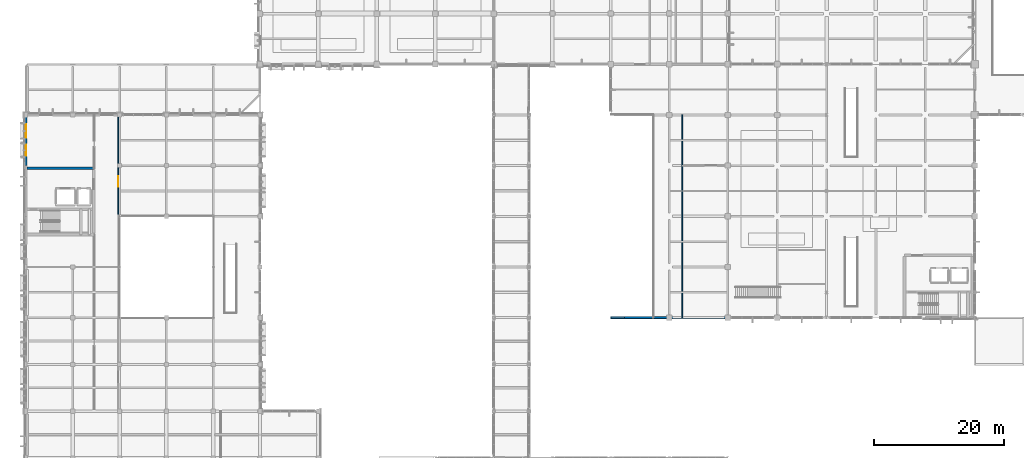
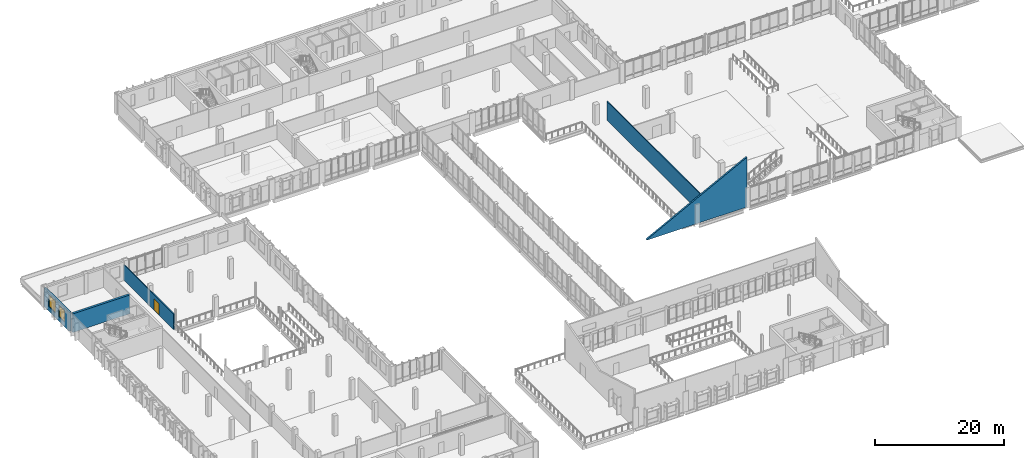
# One storey, part 58 of 85: 5 walls, 2 windows, 1 door, 3 openings.
"""IFC4 building model written with IfcOpenShell, lengths in metres."""

import ifcopenshell
import ifcopenshell.guid

model = None  # the IFC model being written
_history = None  # IfcOwnerHistory: only IFC2X3 demands one
_inside = {}  # id of a spatial element -> (the spatial element, [elements in it])
_under = {}  # id of a project, library or spatial element -> (it, [spatial elements below it])
_declared = {}  # id of a project -> (the project, [libraries it declares])
_typed = {}  # id of a type object -> (the type object, [elements of that type])
_made_of = {}  # id of a material, layer set ... -> (it, [elements and type objects made of it])


def new_model(schema):
    """Start an empty IFC model of exactly this schema.

    Asked for "IFC4X3", IfcOpenShell would pick the latest addendum, in which some entities
    have other attributes; the version numbers below select the first issue.
    IFC2X3 requires an IfcOwnerHistory on every rooted entity: one is made here for all.
    """
    global model, _history
    if schema == "IFC4X3":
        model = ifcopenshell.file(schema_version=(4, 3, 0, 0))
    else:
        model = ifcopenshell.file(schema=schema)
    _inside.clear()
    _under.clear()
    _declared.clear()
    _typed.clear()
    _made_of.clear()
    _history = None
    if model.schema == "IFC2X3":
        org = make("IfcOrganization", Name="unknown")
        user = make(
            "IfcPersonAndOrganization",
            ThePerson=make("IfcPerson", FamilyName="unknown"),
            TheOrganization=org,
        )
        app = make(
            "IfcApplication",
            ApplicationDeveloper=org,
            Version="unknown",
            ApplicationFullName="unknown",
            ApplicationIdentifier="unknown",
        )
        _history = make(
            "IfcOwnerHistory",
            OwningUser=user,
            OwningApplication=app,
            ChangeAction="ADDED",
            CreationDate=0,
        )
    return model


def make(cls, **values):
    """One entity of the class cls with the attributes given. An attribute that is None is left unset."""
    return model.create_entity(
        cls, **{name: value for name, value in values.items() if value is not None}
    )


def rooted(cls, **values):
    """An entity with a GlobalId (a new one), such as an element, a storey or a relation."""
    return make(cls, GlobalId=ifcopenshell.guid.new(), OwnerHistory=_history, **values)


def si_unit(unit_type, name, prefix=None):
    """IfcSIUnit, for example si_unit("LENGTHUNIT", "METRE", prefix="MILLI")."""
    return make("IfcSIUnit", UnitType=unit_type, Prefix=prefix, Name=name)


def assignment(units):
    """IfcUnitAssignment: the units of a project."""
    return None if units is None else make("IfcUnitAssignment", Units=units)


def point(xyz):
    """IfcCartesianPoint."""
    return None if xyz is None else make("IfcCartesianPoint", Coordinates=xyz)


def direction(xyz):
    """IfcDirection."""
    return None if xyz is None else make("IfcDirection", DirectionRatios=xyz)


def frame(location, z_axis=None, x_axis=None):
    """IfcAxis2Placement3D, a coordinate frame: its origin and axes. An axis left out is left unset."""
    return make(
        "IfcAxis2Placement3D",
        Location=point(location),
        Axis=direction(z_axis),
        RefDirection=direction(x_axis),
    )


def frame_2d(location, x_axis=None):
    """IfcAxis2Placement2D, a coordinate frame in the plane: its origin and x axis."""
    return make(
        "IfcAxis2Placement2D", Location=point(location), RefDirection=direction(x_axis)
    )


def origin():
    """The frame at (0, 0, 0) with its axes left unset."""
    return frame((0.0, 0.0, 0.0))


def place(relative_to, where):
    """IfcLocalPlacement: puts the frame where relative to a parent placement (None: the world)."""
    return make(
        "IfcLocalPlacement", PlacementRelTo=relative_to, RelativePlacement=where
    )


def context(
    kind, dimensions, precision=None, world=None, true_north=None, identifier=None
):
    """IfcGeometricRepresentationContext, for example the 3D "Model" context."""
    return make(
        "IfcGeometricRepresentationContext",
        ContextIdentifier=identifier,
        ContextType=kind,
        CoordinateSpaceDimension=dimensions,
        Precision=precision,
        WorldCoordinateSystem=world,
        TrueNorth=true_north,
    )


def subcontext(parent, identifier, kind, view, scale=None):
    """IfcGeometricRepresentationSubContext, for example "Body" below "Model"."""
    return make(
        "IfcGeometricRepresentationSubContext",
        ContextIdentifier=identifier,
        ContextType=kind,
        ParentContext=parent,
        TargetScale=scale,
        TargetView=view,
    )


def project(units=None, contexts=None):
    """IfcProject with its units and contexts."""
    return rooted(
        "IfcProject",
        Name="project",
        RepresentationContexts=contexts,
        UnitsInContext=assignment(units),
    )


def spatial(cls, under=None, at=None, **own):
    """A site, building, storey or space (cls), placed at a placement, below another one or the project."""
    s = rooted(cls, ObjectPlacement=at, **own)
    if under is not None:
        _under.setdefault(under.id(), (under, []))[1].append(s)
    return s


def polyline(points):
    """IfcPolyline through the points."""
    return make("IfcPolyline", Points=[point(p) for p in points])


def profile(cls, at=None, kind="AREA", **sizes):
    """A parametric profile (cls). Its sizes go by their IFC names, for example OverallWidth=200.0."""
    return make(cls, ProfileType=kind, Position=at, **sizes)


def rectangle(**sizes):
    """IfcRectangleProfileDef."""
    return profile("IfcRectangleProfileDef", **sizes)


def outline(outer, holes=None, kind="AREA"):
    """IfcArbitraryClosedProfileDef: a profile drawn as a closed curve; with holes, ...WithVoids."""
    if holes is None:
        return make("IfcArbitraryClosedProfileDef", ProfileType=kind, OuterCurve=outer)
    return make(
        "IfcArbitraryProfileDefWithVoids",
        ProfileType=kind,
        OuterCurve=outer,
        InnerCurves=holes,
    )


def extrude(swept, where, along, depth):
    """IfcExtrudedAreaSolid: the profile swept, set in the frame where, extruded along a direction by depth."""
    return make(
        "IfcExtrudedAreaSolid",
        SweptArea=swept,
        Position=where,
        ExtrudedDirection=direction(along),
        Depth=depth,
    )


def shape(context_of_items, identifier, shape_type, items):
    """IfcShapeRepresentation: the items that make up one representation, for example the "Body"."""
    return make(
        "IfcShapeRepresentation",
        ContextOfItems=context_of_items,
        RepresentationIdentifier=identifier,
        RepresentationType=shape_type,
        Items=items,
    )


def material(Name=None, Category=None):
    """IfcMaterial."""
    return make("IfcMaterial", Name=Name, Category=Category)


def layer(
    of_material, thickness, ventilated=None, Name=None, Category=None, Priority=None
):
    """IfcMaterialLayer: one layer of a wall or slab, of a material (None: an air gap)."""
    return make(
        "IfcMaterialLayer",
        Material=of_material,
        LayerThickness=thickness,
        IsVentilated=ventilated,
        Name=Name,
        Category=Category,
        Priority=Priority,
    )


def layer_set(layers, Name=None):
    """IfcMaterialLayerSet."""
    return make("IfcMaterialLayerSet", MaterialLayers=layers, LayerSetName=Name)


def made_of(thing, what):
    """Note that an element or type object is made of a material, layer set ...; save() writes the relation."""
    if what is not None:
        _made_of.setdefault(what.id(), (what, []))[1].append(thing)
    return thing


def type_object(cls, material=None, **own):
    """A type object (cls), such as IfcWallType, which elements share."""
    return made_of(rooted(cls, **own), material)


def element(
    cls,
    number,
    at=None,
    inside=None,
    cuts=None,
    type_object=None,
    material=None,
    context=None,
    identifier="Body",
    shape_type=None,
    held_by="IfcProductDefinitionShape",
    body=None,
    shapes=None,
    **own,
):
    """One element of the class cls, such as IfcWall. Its Tag is "e" and its number.

    at: its placement. inside: the storey or other place that contains it. cuts: it is an
    opening in that element (IfcRelVoidsElement). A single representation is given by context,
    identifier, shape_type and body (its items); several are given by shapes. held_by: the class
    of the entity that holds the representations. save() writes the other relations.
    """
    e = rooted(cls, Tag="e%d" % number, ObjectPlacement=at, **own)
    if body is not None:
        shapes = [shape(context, identifier, shape_type, body)]
    if shapes is not None:
        e.Representation = make(held_by, Representations=shapes)
    if inside is not None:
        _inside.setdefault(inside.id(), (inside, []))[1].append(e)
    if cuts is not None:
        rooted(
            "IfcRelVoidsElement", RelatingBuildingElement=cuts, RelatedOpeningElement=e
        )
    if type_object is not None:
        _typed.setdefault(type_object.id(), (type_object, []))[1].append(e)
    return made_of(e, material)


def fill(opening, filler):
    """IfcRelFillsElement: the door or window that sits in an opening."""
    return rooted(
        "IfcRelFillsElement",
        RelatingOpeningElement=opening,
        RelatedBuildingElement=filler,
    )


def aggregate(whole, parts):
    """IfcRelAggregates: a whole, such as a stair, and the parts it consists of."""
    return rooted("IfcRelAggregates", RelatingObject=whole, RelatedObjects=parts)


def save(model, path):
    """Write the relations noted so far, then the file.

    IfcRelAggregates (storeys below a building ...), IfcRelContainedInSpatialStructure (elements
    in a storey), IfcRelDefinesByType, IfcRelAssociatesMaterial and IfcRelDeclares: one each for
    every whole, place, type object, material and project.
    """
    for whole, parts in _under.values():
        aggregate(whole, parts)
    for where, things in _inside.values():
        rooted(
            "IfcRelContainedInSpatialStructure",
            RelatedElements=things,
            RelatingStructure=where,
        )
    for kind, things in _typed.values():
        rooted("IfcRelDefinesByType", RelatedObjects=things, RelatingType=kind)
    for what, things in _made_of.values():
        rooted("IfcRelAssociatesMaterial", RelatedObjects=things, RelatingMaterial=what)
    for by, libraries in _declared.values():
        rooted("IfcRelDeclares", RelatingContext=by, RelatedDefinitions=libraries)
    model.write(path)


model = new_model("IFC4")

# Units and contexts
model_context = context("Model", 3, precision=1e-05, world=origin(), true_north=direction((0.0, 1.0)))
body_context = subcontext(model_context, "Body", "Model", "MODEL_VIEW")
ifc_project = project(units=[si_unit("LENGTHUNIT", "METRE"), si_unit("AREAUNIT", "SQUARE_METRE"), si_unit("VOLUMEUNIT", "CUBIC_METRE"), si_unit("PLANEANGLEUNIT", "RADIAN"), si_unit("MASSUNIT", "GRAM", prefix="KILO")], contexts=[model_context])

# Site, building, storey
site_placement = place(None, origin())
site = spatial("IfcSite", under=ifc_project, at=site_placement, CompositionType="ELEMENT")
building_placement = place(site_placement, origin())
building = spatial("IfcBuilding", under=site, at=building_placement, Name="Vervanel Yard Central Library", CompositionType="ELEMENT")
storey_placement = place(building_placement, frame((0.0, 0.0, 5.10009765625)))
storey = spatial("IfcBuildingStorey", under=building, at=storey_placement, Name="L01", CompositionType="ELEMENT", Elevation=5.10009765625)

# Wall, opening, door
ifc_material_1 = material(Name="Fire-rated gypsum board on steel studs", Category="steel")
ifc_layer_1 = layer(ifc_material_1, 0.159912109375, Category="steel")
ifc_layer_set_1 = layer_set([ifc_layer_1], Name="Fire-rated gypsum board on steel studs")
wall_type_1 = type_object("IfcWallType", Name="Acoustic Glazed Partition 160", PredefinedType="PARTITIONING", material=ifc_layer_set_1)
wall_1_placement = place(storey_placement, frame((14.199951171875, 58.8798828125, 0.0), z_axis=(0.0, 0.0, 1.0), x_axis=(0.0, 1.0, 0.0)))
wall_1 = element("IfcWall", 1, at=wall_1_placement, inside=storey, type_object=wall_type_1, Name="L01 Acoustic Glazed Partition 160 IPART-L01-0060", PredefinedType="PARTITIONING", context=body_context, shape_type="SweptSolid", body=[
    extrude(rectangle(XDim=15.52001953125, YDim=0.159912109375, at=frame_2d((7.760009765625, 0.0))), origin(), (0.0, 0.0, 1.0), 2.94287109375),
])
opening_1_placement = place(wall_1_placement, frame((4.5, 0.0, 0.0)))
opening_1 = element("IfcOpeningElement", 2, at=opening_1_placement, cuts=wall_1, Name="Opening DR-04", PredefinedType="OPENING", context=body_context, shape_type="SweptSolid", body=[
    extrude(rectangle(XDim=1.60009765625, YDim=2.199951171875, at=frame_2d((0.800048828125, 1.10009765625))), frame((0.0, 0.08984375, 0.0), z_axis=(0.0, -1.0, 0.0), x_axis=(1.0, 0.0, 0.0)), (0.0, 0.0, 1.0), 0.179931640625),
])
ifc_material_2 = material(Name="Solid white oak acoustic joinery", Category="wood")
door_type = type_object("IfcDoorType", Name="Interior Double Reading Door 1600x2200", OperationType="NOTDEFINED", PredefinedType="DOOR", material=ifc_material_2)
door_placement = place(opening_1_placement, origin())
door = element("IfcDoor", 3, at=door_placement, inside=storey, type_object=door_type, Name="L01 Interior Double Reading Door 1600x2200 IDOOR-L01-0046", OperationType="DOUBLE_DOOR_SINGLE_SWING", OverallHeight=2.199951171875, OverallWidth=1.60009765625, PredefinedType="DOOR", context=body_context, shape_type="SweptSolid", body=[
    extrude(rectangle(XDim=1.60009765625, YDim=2.199951171875, at=frame_2d((0.800048828125, 1.10009765625))), frame((0.0, 0.02490234375, 0.0), z_axis=(0.0, -1.0, 0.0), x_axis=(1.0, 0.0, 0.0)), (0.0, 0.0, 1.0), 0.050048828125),
])
fill(opening_1, door)

# Walls
wall_2_placement = place(storey_placement, frame((101.0, 43.199951171875, 0.0), z_axis=(0.0, 0.0, 1.0), x_axis=(0.0, 1.0, 0.0)))
element("IfcWall", 4, at=wall_2_placement, inside=storey, type_object=wall_type_1, Name="L01 Acoustic Glazed Partition 160 IPART-RC2-L01-V3W", PredefinedType="PARTITIONING", context=body_context, shape_type="SweptSolid", body=[
    extrude(rectangle(XDim=31.199951171875, YDim=0.159912109375, at=frame_2d((15.60009765625, 0.0))), origin(), (0.0, 0.0, 1.0), 3.5498046875),
])
ifc_material_3 = material(Name="Precast concrete C45/55", Category="concrete")
ifc_layer_2 = layer(ifc_material_3, 0.300048828125, Category="concrete")
ifc_layer_set_2 = layer_set([ifc_layer_2], Name="Precast concrete C45/55")
wall_type_2 = type_object("IfcWallType", Name="Bush-Hammered Precast Cladding Wall 300", PredefinedType="SOLIDWALL", material=ifc_layer_set_2)
wall_3_placement = place(storey_placement, frame((90.0, 43.199951171875, 0.0), z_axis=(0.0, 0.0, 1.0), x_axis=(1.0, 0.0, 0.0)))
element("IfcWall", 5, at=wall_3_placement, inside=storey, type_object=wall_type_2, Name="L01 Bush-Hammered Precast Cladding Wall 300 EWALL-L01-0159", PredefinedType="SOLIDWALL", context=body_context, shape_type="SweptSolid", body=[
    extrude(outline(polyline([(0.0, 0.0), (18.0, 0.0), (18.0, 9.4599609375), (0.0, 0.10986328125), (0.0, 0.0)])), frame((0.0, 0.14990234375, 0.0), z_axis=(0.0, -1.0, 0.0), x_axis=(1.0, 0.0, 0.0)), (0.0, 0.0, 1.0), 0.300048828125),
])
ifc_material_4 = material(Name="Concrete C45/55", Category="concrete")
ifc_layer_3 = layer(ifc_material_4, 0.39990234375, Category="concrete")
ifc_layer_set_3 = layer_set([ifc_layer_3], Name="Concrete C45/55")
wall_type_3 = type_object("IfcWallType", Name="Core Primary Shear Wall 400", PredefinedType="SHEAR", material=ifc_layer_set_3)
wall_4_placement = place(storey_placement, frame((0.169921875, 66.199951171875, 0.0), z_axis=(0.0, 0.0, 1.0), x_axis=(1.0, 0.0, 0.0)))
element("IfcWall", 6, at=wall_4_placement, inside=storey, type_object=wall_type_3, Name="L01 CORE-C Shear Wall N", PredefinedType="SHEAR", context=body_context, shape_type="SweptSolid", body=[
    extrude(rectangle(XDim=10.22998046875, YDim=0.39990234375, at=frame_2d((5.114990234375, 0.0))), origin(), (0.0, 0.0, 1.0), 3.5498046875),
])

# Wall, openings, windows
ifc_layer_4 = layer(ifc_material_4, 0.340087890625, Category="concrete")
ifc_layer_set_4 = layer_set([ifc_layer_4], Name="Concrete C45/55")
wall_type_4 = type_object("IfcWallType", Name="Exterior Bearing Concrete Frame Wall 340", PredefinedType="SOLIDWALL", material=ifc_layer_set_4)
wall_5_placement = place(storey_placement, frame((0.0, 66.60009765625, 0.0), z_axis=(0.0, 0.0, 1.0), x_axis=(0.0, 1.0, 0.0)))
wall_5 = element("IfcWall", 7, at=wall_5_placement, inside=storey, type_object=wall_type_4, Name="L01 Exterior Bearing Concrete Frame Wall 340 EWALL-L01-0103", PredefinedType="SOLIDWALL", context=body_context, shape_type="SweptSolid", body=[
    extrude(rectangle(XDim=7.7998046875, YDim=0.340087890625, at=frame_2d((3.89990234375, 0.0))), origin(), (0.0, 0.0, 1.0), 3.5498046875),
])
opening_2_placement = place(wall_5_placement, frame((1.5, 0.0, 0.85009765625)))
opening_2 = element("IfcOpeningElement", 8, at=opening_2_placement, cuts=wall_5, Name="Opening WN-23", PredefinedType="OPENING", context=body_context, shape_type="SweptSolid", body=[
    extrude(rectangle(XDim=1.75, YDim=2.14990234375, at=frame_2d((0.875, 1.074951171875))), frame((0.0, 0.179931640625, 0.0), z_axis=(0.0, -1.0, 0.0), x_axis=(1.0, 0.0, 0.0)), (0.0, 0.0, 1.0), 0.360107421875),
])
opening_3_placement = place(wall_5_placement, frame((4.300048828125, 0.0, 0.85009765625)))
opening_3 = element("IfcOpeningElement", 9, at=opening_3_placement, cuts=wall_5, Name="Opening WN-08", PredefinedType="OPENING", context=body_context, shape_type="SweptSolid", body=[
    extrude(rectangle(XDim=2.10009765625, YDim=2.25, at=frame_2d((1.050048828125, 1.125))), frame((0.0, 0.179931640625, 0.0), z_axis=(0.0, -1.0, 0.0), x_axis=(1.0, 0.0, 0.0)), (0.0, 0.0, 1.0), 0.360107421875),
])
ifc_material_5 = material(Name="Double low-E laminated solar-control glass", Category="glass")
window_type_1 = type_object("IfcWindowType", Name="Atrium Northlight Window 1750x2150", PartitioningType="SINGLE_PANEL", PredefinedType="WINDOW", material=ifc_material_5)
window_1_placement = place(opening_2_placement, origin())
window_1 = element("IfcWindow", 10, at=window_1_placement, inside=storey, type_object=window_type_1, Name="L01 Atrium Northlight Window 1750x2150 133", OverallHeight=2.14990234375, OverallWidth=1.75, PartitioningType="SINGLE_PANEL", PredefinedType="WINDOW", context=body_context, shape_type="SweptSolid", body=[
    extrude(rectangle(XDim=1.75, YDim=2.14990234375, at=frame_2d((0.875, 1.074951171875))), frame((0.0, 0.030029296875, 0.0), z_axis=(0.0, -1.0, 0.0), x_axis=(1.0, 0.0, 0.0)), (0.0, 0.0, 1.0), 0.06005859375),
])
fill(opening_2, window_1)
window_type_2 = type_object("IfcWindowType", Name="Atrium Seminar Window 2100x2250", PartitioningType="SINGLE_PANEL", PredefinedType="WINDOW", material=ifc_material_5)
window_2_placement = place(opening_3_placement, origin())
window_2 = element("IfcWindow", 11, at=window_2_placement, inside=storey, type_object=window_type_2, Name="L01 Atrium Seminar Window 2100x2250 134", OverallHeight=2.25, OverallWidth=2.10009765625, PartitioningType="SINGLE_PANEL", PredefinedType="WINDOW", context=body_context, shape_type="SweptSolid", body=[
    extrude(rectangle(XDim=2.10009765625, YDim=2.25, at=frame_2d((1.050048828125, 1.125))), frame((0.0, 0.030029296875, 0.0), z_axis=(0.0, -1.0, 0.0), x_axis=(1.0, 0.0, 0.0)), (0.0, 0.0, 1.0), 0.06005859375),
])
fill(opening_3, window_2)

save(model, "model.ifc")
